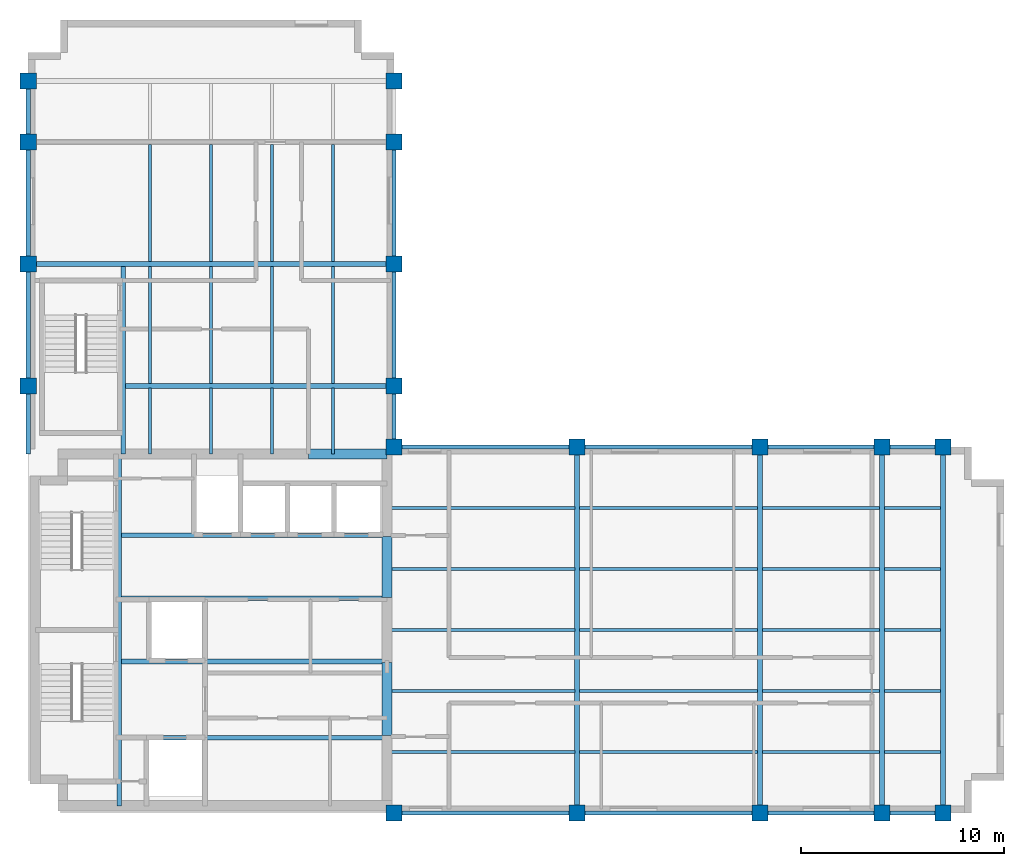
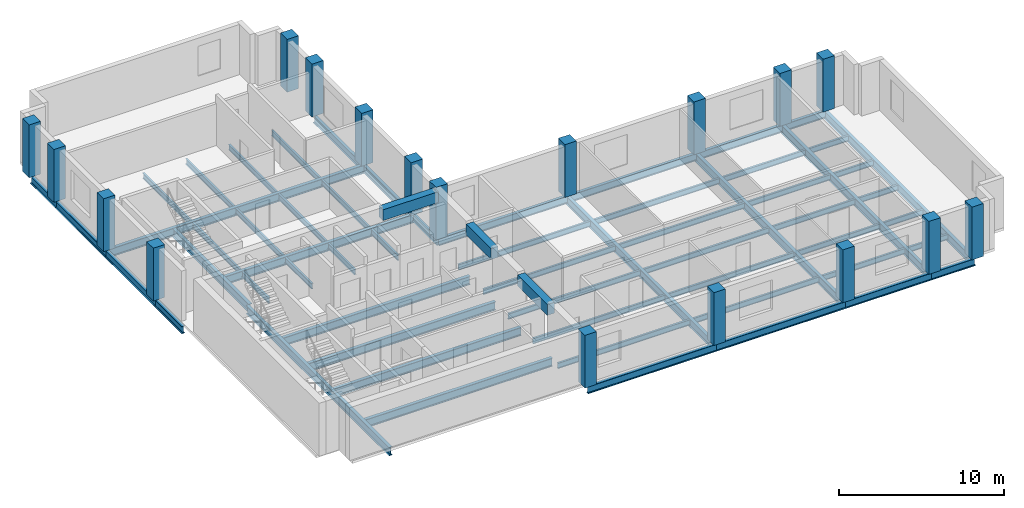
# One storey, part 1 of 6: 62 beams, 18 columns.
"""IFC4 building model written with IfcOpenShell, lengths in metres."""

from ifc_helpers import new_model, si_unit, direction, frame, origin, origin_2d, place, context, subcontext, project, spatial, rectangle, i_section, extrude, material, material_profile, profile_set, type_object, element, save


model = new_model("IFC4")

# Units and contexts
model_context = context("Model", 3, precision=1e-05, world=origin(), true_north=direction((0.0, 1.0)))
body_context = subcontext(model_context, "Body", "Model", "MODEL_VIEW")
ifc_project = project(units=[si_unit("LENGTHUNIT", "METRE"), si_unit("AREAUNIT", "SQUARE_METRE"), si_unit("VOLUMEUNIT", "CUBIC_METRE"), si_unit("PLANEANGLEUNIT", "RADIAN"), si_unit("MASSUNIT", "GRAM", prefix="KILO")], contexts=[model_context])

# Site, building, storey
site_placement = place(None, origin())
site = spatial("IfcSite", under=ifc_project, at=site_placement, CompositionType="ELEMENT")
building_placement = place(site_placement, origin())
building = spatial("IfcBuilding", under=site, at=building_placement, Name="Mawjdan Bourse Tower", CompositionType="ELEMENT")
storey_placement = place(building_placement, frame((0.0, 0.0, 239.10009765625)))
storey = spatial("IfcBuildingStorey", under=building, at=storey_placement, Name="L58", CompositionType="ELEMENT", Elevation=239.10009765625)

# Columns
ifc_material_1 = material(Name="Concrete C60/75", Category="concrete")
ifc_material_profile_1 = material_profile(ifc_material_1, rectangle(XDim=0.800048828125, YDim=0.800048828125, at=origin_2d()), Name="RC800X800")
ifc_profile_set_1 = profile_set([ifc_material_profile_1], Name="Concrete C60/75")
column_type = type_object("IfcColumnType", Name="COL-RC800X800", PredefinedType="COLUMN", material=ifc_profile_set_1)
for number, where, z_axis, x_axis, name in (
    (1, (24.0, 3.0, 0.0), (0.0, 0.0, 1.0), (1.0, 0.0, 0.0), "L58 Structural Column C-X240-Y30"),
    (2, (24.0, 21.0, 0.0), (0.0, 0.0, 1.0), (1.0, 0.0, 0.0), "L58 Structural Column C-X240-Y210"),
    (3, (33.0, 3.0, 0.0), (0.0, 0.0, 1.0), (1.0, 0.0, 0.0), "L58 Structural Column C-X330-Y30"),
    (4, (33.0, 21.0, 0.0), (0.0, 0.0, 1.0), (1.0, 0.0, 0.0), "L58 Structural Column C-X330-Y210"),
    (5, (42.0, 3.0, 0.0), (0.0, 0.0, 1.0), (1.0, 0.0, 0.0), "L58 Structural Column C-X420-Y30"),
    (6, (42.0, 21.0, 0.0), (0.0, 0.0, 1.0), (1.0, 0.0, 0.0), "L58 Structural Column C-X420-Y210"),
    (7, (48.0, 3.0, 0.0), (0.0, 0.0, 1.0), (1.0, 0.0, 0.0), "L58 Structural Column C-X480-Y30"),
    (8, (48.0, 21.0, 0.0), (0.0, 0.0, 1.0), (1.0, 0.0, 0.0), "L58 Structural Column C-X480-Y210"),
    (9, (51.0, 3.0, 0.0), (0.0, 0.0, 1.0), (1.0, 0.0, 0.0), "L58 Structural Column C-X510-Y30"),
    (10, (51.0, 21.0, 0.0), (0.0, 0.0, 1.0), (1.0, 0.0, 0.0), "L58 Structural Column C-X510-Y210"),
    (11, (6.0, 24.0, 0.0), (0.0, 0.0, 1.0), (1.0, 0.0, 0.0), "L58 Structural Column C-X60-Y240"),
    (12, (24.0, 24.0, 0.0), (0.0, 0.0, 1.0), (1.0, 0.0, 0.0), "L58 Structural Column C-X240-Y240"),
    (13, (6.0, 30.0, 0.0), (0.0, 0.0, 1.0), (1.0, 0.0, 0.0), "L58 Structural Column C-X60-Y300"),
    (14, (24.0, 30.0, 0.0), (0.0, 0.0, 1.0), (1.0, 0.0, 0.0), "L58 Structural Column C-X240-Y300"),
    (15, (6.0, 36.0, 0.0), (0.0, 0.0, 1.0), (1.0, 0.0, 0.0), "L58 Structural Column C-X60-Y360"),
    (16, (24.0, 36.0, 0.0), (0.0, 0.0, 1.0), (1.0, 0.0, 0.0), "L58 Structural Column C-X240-Y360"),
    (17, (6.0, 39.0, 0.0), (0.0, 0.0, 1.0), (1.0, 0.0, 0.0), "L58 Structural Column C-X60-Y390"),
    (18, (24.0, 39.0, 0.0), (0.0, 0.0, 1.0), (1.0, 0.0, 0.0), "L58 Structural Column C-X240-Y390"),
):
    element("IfcColumn", number, at=place(storey_placement, frame(where, z_axis=z_axis, x_axis=x_axis)), inside=storey, type_object=column_type, Name=name, PredefinedType="COLUMN", context=body_context, shape_type="SweptSolid", body=[
        extrude(rectangle(XDim=0.800048828125, YDim=0.800048828125, at=origin_2d()), origin(), (0.0, 0.0, 1.0), 3.89990234375),
    ])

# Beams
ifc_material_2 = material(Name="Structural Steel S355", Category="steel")
ifc_material_profile_2 = material_profile(ifc_material_2, i_section(OverallWidth=0.22998046875, OverallDepth=0.616943359375, WebThickness=0.01318359375, FlangeThickness=0.022216796875, FilletRadius=0.017822265625, at=origin_2d()), Name="W24X94")
ifc_profile_set_2 = profile_set([ifc_material_profile_2], Name="Structural Steel S355")
beam_type_1 = type_object("IfcBeamType", Name="GRD-W24X94", PredefinedType="BEAM", material=ifc_profile_set_2)
beam_1_placement = place(storey_placement, frame((10.47998046875, 3.35009765625, -0.508544921875), z_axis=(0.0, 1.0, 0.0), x_axis=(-1.0, 0.0, 0.0)))
element("IfcBeam", 19, at=beam_1_placement, inside=storey, type_object=beam_type_1, Name="L58 Core Stair Trimmer Girder 001", PredefinedType="BEAM", context=body_context, shape_type="SweptSolid", body=[
    extrude(i_section(OverallWidth=0.22998046875, OverallDepth=0.616943359375, WebThickness=0.01318359375, FlangeThickness=0.022216796875, FilletRadius=0.017822265625, at=origin_2d()), origin(), (0.0, 0.0, 1.0), 17.2998046875),
])
for number, where, z_axis, x_axis, name in (
    (20, (33.0, 3.0, -0.508544921875), (0.0, 1.0, 0.0), (-1.0, 0.0, 0.0), "L58 East Wing Clear-Span Girder 002"),
    (21, (42.0, 3.0, -0.508544921875), (0.0, 1.0, 0.0), (-1.0, 0.0, 0.0), "L58 East Wing Clear-Span Girder 003"),
    (22, (48.0, 3.0, -0.508544921875), (0.0, 1.0, 0.0), (-1.0, 0.0, 0.0), "L58 East Wing Clear-Span Girder 004"),
    (23, (51.0, 3.0, -0.508544921875), (0.0, 1.0, 0.0), (-1.0, 0.0, 0.0), "L58 East Wing Clear-Span Girder 005"),
):
    element("IfcBeam", number, at=place(storey_placement, frame(where, z_axis=z_axis, x_axis=x_axis)), inside=storey, type_object=beam_type_1, Name=name, PredefinedType="BEAM", context=body_context, shape_type="SweptSolid", body=[
        extrude(i_section(OverallWidth=0.22998046875, OverallDepth=0.616943359375, WebThickness=0.01318359375, FlangeThickness=0.022216796875, FilletRadius=0.017822265625, at=origin_2d()), origin(), (0.0, 0.0, 1.0), 18.0),
    ])
beam_2_placement = place(storey_placement, frame((10.679931640625, 20.64990234375, -0.508544921875), z_axis=(0.0, 1.0, 0.0), x_axis=(-1.0, 0.0, 0.0)))
element("IfcBeam", 24, at=beam_2_placement, inside=storey, type_object=beam_type_1, Name="L58 North Wing Stair Trimmer Girder 038", PredefinedType="BEAM", context=body_context, shape_type="SweptSolid", body=[
    extrude(i_section(OverallWidth=0.22998046875, OverallDepth=0.616943359375, WebThickness=0.01318359375, FlangeThickness=0.022216796875, FilletRadius=0.017822265625, at=origin_2d()), origin(), (0.0, 0.0, 1.0), 9.237060546875),
])
beam_3_placement = place(storey_placement, frame((10.79296875, 24.0, -0.508544921875), z_axis=(1.0, 0.0, 0.0), x_axis=(0.0, 1.0, 0.0)))
element("IfcBeam", 25, at=beam_3_placement, inside=storey, type_object=beam_type_1, Name="L58 North Wing Clear-Span Girder 039", PredefinedType="BEAM", context=body_context, shape_type="SweptSolid", body=[
    extrude(i_section(OverallWidth=0.22998046875, OverallDepth=0.616943359375, WebThickness=0.01318359375, FlangeThickness=0.022216796875, FilletRadius=0.017822265625, at=origin_2d()), origin(), (0.0, 0.0, 1.0), 13.20703125),
])
beam_4_placement = place(storey_placement, frame((6.0, 30.0, -0.508544921875), z_axis=(1.0, 0.0, 0.0), x_axis=(0.0, 1.0, 0.0)))
element("IfcBeam", 26, at=beam_4_placement, inside=storey, type_object=beam_type_1, Name="L58 North Wing Clear-Span Girder 040", PredefinedType="BEAM", context=body_context, shape_type="SweptSolid", body=[
    extrude(i_section(OverallWidth=0.22998046875, OverallDepth=0.616943359375, WebThickness=0.01318359375, FlangeThickness=0.022216796875, FilletRadius=0.017822265625, at=origin_2d()), origin(), (0.0, 0.0, 1.0), 18.0),
])
ifc_material_profile_3 = material_profile(ifc_material_2, i_section(OverallWidth=0.139892578125, OverallDepth=0.404052734375, WebThickness=0.007080078125, FlangeThickness=0.01123046875, FilletRadius=0.009033203125, at=origin_2d()), Name="W16X31")
ifc_profile_set_3 = profile_set([ifc_material_profile_3], Name="Structural Steel S355")
beam_type_2 = type_object("IfcBeamType", Name="JST-W16X31", PredefinedType="JOIST", material=ifc_profile_set_3)
beam_5_placement = place(storey_placement, frame((23.64990234375, 6.0, -0.402099609375), z_axis=(1.0, 0.0, 0.0), x_axis=(0.0, 1.0, 0.0)))
element("IfcBeam", 27, at=beam_5_placement, inside=storey, type_object=beam_type_2, Name="L58 East Wing Composite Joist 014", PredefinedType="JOIST", context=body_context, shape_type="SweptSolid", body=[
    extrude(i_section(OverallWidth=0.139892578125, OverallDepth=0.404052734375, WebThickness=0.007080078125, FlangeThickness=0.01123046875, FilletRadius=0.009033203125, at=origin_2d()), origin(), (0.0, 0.0, 1.0), 9.237060546875),
])
beam_6_placement = place(storey_placement, frame((33.113037109375, 6.0, -0.402099609375), z_axis=(1.0, 0.0, 0.0), x_axis=(0.0, 1.0, 0.0)))
element("IfcBeam", 28, at=beam_6_placement, inside=storey, type_object=beam_type_2, Name="L58 East Wing Composite Joist 015", PredefinedType="JOIST", context=body_context, shape_type="SweptSolid", body=[
    extrude(i_section(OverallWidth=0.139892578125, OverallDepth=0.404052734375, WebThickness=0.007080078125, FlangeThickness=0.01123046875, FilletRadius=0.009033203125, at=origin_2d()), origin(), (0.0, 0.0, 1.0), 8.77392578125),
])
beam_7_placement = place(storey_placement, frame((42.113037109375, 6.0, -0.402099609375), z_axis=(1.0, 0.0, 0.0), x_axis=(0.0, 1.0, 0.0)))
element("IfcBeam", 29, at=beam_7_placement, inside=storey, type_object=beam_type_2, Name="L58 East Wing Composite Joist 016", PredefinedType="JOIST", context=body_context, shape_type="SweptSolid", body=[
    extrude(i_section(OverallWidth=0.139892578125, OverallDepth=0.404052734375, WebThickness=0.007080078125, FlangeThickness=0.01123046875, FilletRadius=0.009033203125, at=origin_2d()), origin(), (0.0, 0.0, 1.0), 5.77392578125),
])
beam_8_placement = place(storey_placement, frame((48.113037109375, 6.0, -0.402099609375), z_axis=(1.0, 0.0, 0.0), x_axis=(0.0, 1.0, 0.0)))
element("IfcBeam", 30, at=beam_8_placement, inside=storey, type_object=beam_type_2, Name="L58 East Wing Composite Joist 017", PredefinedType="JOIST", context=body_context, shape_type="SweptSolid", body=[
    extrude(i_section(OverallWidth=0.139892578125, OverallDepth=0.404052734375, WebThickness=0.007080078125, FlangeThickness=0.01123046875, FilletRadius=0.009033203125, at=origin_2d()), origin(), (0.0, 0.0, 1.0), 2.77392578125),
])
beam_9_placement = place(storey_placement, frame((23.64990234375, 9.0, -0.402099609375), z_axis=(1.0, 0.0, 0.0), x_axis=(0.0, 1.0, 0.0)))
element("IfcBeam", 31, at=beam_9_placement, inside=storey, type_object=beam_type_2, Name="L58 East Wing Composite Joist 018", PredefinedType="JOIST", context=body_context, shape_type="SweptSolid", body=[
    extrude(i_section(OverallWidth=0.139892578125, OverallDepth=0.404052734375, WebThickness=0.007080078125, FlangeThickness=0.01123046875, FilletRadius=0.009033203125, at=origin_2d()), origin(), (0.0, 0.0, 1.0), 9.237060546875),
])
beam_10_placement = place(storey_placement, frame((33.113037109375, 9.0, -0.402099609375), z_axis=(1.0, 0.0, 0.0), x_axis=(0.0, 1.0, 0.0)))
element("IfcBeam", 32, at=beam_10_placement, inside=storey, type_object=beam_type_2, Name="L58 East Wing Composite Joist 019", PredefinedType="JOIST", context=body_context, shape_type="SweptSolid", body=[
    extrude(i_section(OverallWidth=0.139892578125, OverallDepth=0.404052734375, WebThickness=0.007080078125, FlangeThickness=0.01123046875, FilletRadius=0.009033203125, at=origin_2d()), origin(), (0.0, 0.0, 1.0), 8.77392578125),
])
beam_11_placement = place(storey_placement, frame((42.113037109375, 9.0, -0.402099609375), z_axis=(1.0, 0.0, 0.0), x_axis=(0.0, 1.0, 0.0)))
element("IfcBeam", 33, at=beam_11_placement, inside=storey, type_object=beam_type_2, Name="L58 East Wing Composite Joist 020", PredefinedType="JOIST", context=body_context, shape_type="SweptSolid", body=[
    extrude(i_section(OverallWidth=0.139892578125, OverallDepth=0.404052734375, WebThickness=0.007080078125, FlangeThickness=0.01123046875, FilletRadius=0.009033203125, at=origin_2d()), origin(), (0.0, 0.0, 1.0), 5.77392578125),
])
beam_12_placement = place(storey_placement, frame((48.113037109375, 9.0, -0.402099609375), z_axis=(1.0, 0.0, 0.0), x_axis=(0.0, 1.0, 0.0)))
element("IfcBeam", 34, at=beam_12_placement, inside=storey, type_object=beam_type_2, Name="L58 East Wing Composite Joist 021", PredefinedType="JOIST", context=body_context, shape_type="SweptSolid", body=[
    extrude(i_section(OverallWidth=0.139892578125, OverallDepth=0.404052734375, WebThickness=0.007080078125, FlangeThickness=0.01123046875, FilletRadius=0.009033203125, at=origin_2d()), origin(), (0.0, 0.0, 1.0), 2.77392578125),
])
beam_13_placement = place(storey_placement, frame((23.64990234375, 12.0, -0.402099609375), z_axis=(1.0, 0.0, 0.0), x_axis=(0.0, 1.0, 0.0)))
element("IfcBeam", 35, at=beam_13_placement, inside=storey, type_object=beam_type_2, Name="L58 East Wing Composite Joist 022", PredefinedType="JOIST", context=body_context, shape_type="SweptSolid", body=[
    extrude(i_section(OverallWidth=0.139892578125, OverallDepth=0.404052734375, WebThickness=0.007080078125, FlangeThickness=0.01123046875, FilletRadius=0.009033203125, at=origin_2d()), origin(), (0.0, 0.0, 1.0), 9.237060546875),
])
beam_14_placement = place(storey_placement, frame((33.113037109375, 12.0, -0.402099609375), z_axis=(1.0, 0.0, 0.0), x_axis=(0.0, 1.0, 0.0)))
element("IfcBeam", 36, at=beam_14_placement, inside=storey, type_object=beam_type_2, Name="L58 East Wing Composite Joist 023", PredefinedType="JOIST", context=body_context, shape_type="SweptSolid", body=[
    extrude(i_section(OverallWidth=0.139892578125, OverallDepth=0.404052734375, WebThickness=0.007080078125, FlangeThickness=0.01123046875, FilletRadius=0.009033203125, at=origin_2d()), origin(), (0.0, 0.0, 1.0), 8.77392578125),
])
beam_15_placement = place(storey_placement, frame((42.113037109375, 12.0, -0.402099609375), z_axis=(1.0, 0.0, 0.0), x_axis=(0.0, 1.0, 0.0)))
element("IfcBeam", 37, at=beam_15_placement, inside=storey, type_object=beam_type_2, Name="L58 East Wing Composite Joist 024", PredefinedType="JOIST", context=body_context, shape_type="SweptSolid", body=[
    extrude(i_section(OverallWidth=0.139892578125, OverallDepth=0.404052734375, WebThickness=0.007080078125, FlangeThickness=0.01123046875, FilletRadius=0.009033203125, at=origin_2d()), origin(), (0.0, 0.0, 1.0), 5.77392578125),
])
beam_16_placement = place(storey_placement, frame((48.113037109375, 12.0, -0.402099609375), z_axis=(1.0, 0.0, 0.0), x_axis=(0.0, 1.0, 0.0)))
element("IfcBeam", 38, at=beam_16_placement, inside=storey, type_object=beam_type_2, Name="L58 East Wing Composite Joist 025", PredefinedType="JOIST", context=body_context, shape_type="SweptSolid", body=[
    extrude(i_section(OverallWidth=0.139892578125, OverallDepth=0.404052734375, WebThickness=0.007080078125, FlangeThickness=0.01123046875, FilletRadius=0.009033203125, at=origin_2d()), origin(), (0.0, 0.0, 1.0), 2.77392578125),
])
beam_17_placement = place(storey_placement, frame((23.64990234375, 15.0, -0.402099609375), z_axis=(1.0, 0.0, 0.0), x_axis=(0.0, 1.0, 0.0)))
element("IfcBeam", 39, at=beam_17_placement, inside=storey, type_object=beam_type_2, Name="L58 East Wing Composite Joist 026", PredefinedType="JOIST", context=body_context, shape_type="SweptSolid", body=[
    extrude(i_section(OverallWidth=0.139892578125, OverallDepth=0.404052734375, WebThickness=0.007080078125, FlangeThickness=0.01123046875, FilletRadius=0.009033203125, at=origin_2d()), origin(), (0.0, 0.0, 1.0), 9.237060546875),
])
beam_18_placement = place(storey_placement, frame((33.113037109375, 15.0, -0.402099609375), z_axis=(1.0, 0.0, 0.0), x_axis=(0.0, 1.0, 0.0)))
element("IfcBeam", 40, at=beam_18_placement, inside=storey, type_object=beam_type_2, Name="L58 East Wing Composite Joist 027", PredefinedType="JOIST", context=body_context, shape_type="SweptSolid", body=[
    extrude(i_section(OverallWidth=0.139892578125, OverallDepth=0.404052734375, WebThickness=0.007080078125, FlangeThickness=0.01123046875, FilletRadius=0.009033203125, at=origin_2d()), origin(), (0.0, 0.0, 1.0), 8.77392578125),
])
beam_19_placement = place(storey_placement, frame((42.113037109375, 15.0, -0.402099609375), z_axis=(1.0, 0.0, 0.0), x_axis=(0.0, 1.0, 0.0)))
element("IfcBeam", 41, at=beam_19_placement, inside=storey, type_object=beam_type_2, Name="L58 East Wing Composite Joist 028", PredefinedType="JOIST", context=body_context, shape_type="SweptSolid", body=[
    extrude(i_section(OverallWidth=0.139892578125, OverallDepth=0.404052734375, WebThickness=0.007080078125, FlangeThickness=0.01123046875, FilletRadius=0.009033203125, at=origin_2d()), origin(), (0.0, 0.0, 1.0), 5.77392578125),
])
beam_20_placement = place(storey_placement, frame((48.113037109375, 15.0, -0.402099609375), z_axis=(1.0, 0.0, 0.0), x_axis=(0.0, 1.0, 0.0)))
element("IfcBeam", 42, at=beam_20_placement, inside=storey, type_object=beam_type_2, Name="L58 East Wing Composite Joist 029", PredefinedType="JOIST", context=body_context, shape_type="SweptSolid", body=[
    extrude(i_section(OverallWidth=0.139892578125, OverallDepth=0.404052734375, WebThickness=0.007080078125, FlangeThickness=0.01123046875, FilletRadius=0.009033203125, at=origin_2d()), origin(), (0.0, 0.0, 1.0), 2.77392578125),
])
beam_21_placement = place(storey_placement, frame((23.64990234375, 18.0, -0.402099609375), z_axis=(1.0, 0.0, 0.0), x_axis=(0.0, 1.0, 0.0)))
element("IfcBeam", 43, at=beam_21_placement, inside=storey, type_object=beam_type_2, Name="L58 East Wing Composite Joist 030", PredefinedType="JOIST", context=body_context, shape_type="SweptSolid", body=[
    extrude(i_section(OverallWidth=0.139892578125, OverallDepth=0.404052734375, WebThickness=0.007080078125, FlangeThickness=0.01123046875, FilletRadius=0.009033203125, at=origin_2d()), origin(), (0.0, 0.0, 1.0), 9.237060546875),
])
beam_22_placement = place(storey_placement, frame((33.113037109375, 18.0, -0.402099609375), z_axis=(1.0, 0.0, 0.0), x_axis=(0.0, 1.0, 0.0)))
element("IfcBeam", 44, at=beam_22_placement, inside=storey, type_object=beam_type_2, Name="L58 East Wing Composite Joist 031", PredefinedType="JOIST", context=body_context, shape_type="SweptSolid", body=[
    extrude(i_section(OverallWidth=0.139892578125, OverallDepth=0.404052734375, WebThickness=0.007080078125, FlangeThickness=0.01123046875, FilletRadius=0.009033203125, at=origin_2d()), origin(), (0.0, 0.0, 1.0), 8.77392578125),
])
beam_23_placement = place(storey_placement, frame((42.113037109375, 18.0, -0.402099609375), z_axis=(1.0, 0.0, 0.0), x_axis=(0.0, 1.0, 0.0)))
element("IfcBeam", 45, at=beam_23_placement, inside=storey, type_object=beam_type_2, Name="L58 East Wing Composite Joist 032", PredefinedType="JOIST", context=body_context, shape_type="SweptSolid", body=[
    extrude(i_section(OverallWidth=0.139892578125, OverallDepth=0.404052734375, WebThickness=0.007080078125, FlangeThickness=0.01123046875, FilletRadius=0.009033203125, at=origin_2d()), origin(), (0.0, 0.0, 1.0), 5.77392578125),
])
beam_24_placement = place(storey_placement, frame((48.113037109375, 18.0, -0.402099609375), z_axis=(1.0, 0.0, 0.0), x_axis=(0.0, 1.0, 0.0)))
element("IfcBeam", 46, at=beam_24_placement, inside=storey, type_object=beam_type_2, Name="L58 East Wing Composite Joist 033", PredefinedType="JOIST", context=body_context, shape_type="SweptSolid", body=[
    extrude(i_section(OverallWidth=0.139892578125, OverallDepth=0.404052734375, WebThickness=0.007080078125, FlangeThickness=0.01123046875, FilletRadius=0.009033203125, at=origin_2d()), origin(), (0.0, 0.0, 1.0), 2.77392578125),
])
beam_25_placement = place(storey_placement, frame((12.0, 20.64990234375, -0.402099609375), z_axis=(0.0, 1.0, 0.0), x_axis=(-1.0, 0.0, 0.0)))
element("IfcBeam", 47, at=beam_25_placement, inside=storey, type_object=beam_type_2, Name="L58 North Wing Composite Joist 051", PredefinedType="JOIST", context=body_context, shape_type="SweptSolid", body=[
    extrude(i_section(OverallWidth=0.139892578125, OverallDepth=0.404052734375, WebThickness=0.007080078125, FlangeThickness=0.01123046875, FilletRadius=0.009033203125, at=origin_2d()), origin(), (0.0, 0.0, 1.0), 3.237060546875),
])
for number, where, z_axis, x_axis, name in (
    (48, (12.0, 24.113037109375, -0.402099609375), (0.0, 1.0, 0.0), (-1.0, 0.0, 0.0), "L58 North Wing Composite Joist 052"),
    (49, (12.0, 30.113037109375, -0.402099609375), (0.0, 1.0, 0.0), (-1.0, 0.0, 0.0), "L58 North Wing Composite Joist 053"),
):
    element("IfcBeam", number, at=place(storey_placement, frame(where, z_axis=z_axis, x_axis=x_axis)), inside=storey, type_object=beam_type_2, Name=name, PredefinedType="JOIST", context=body_context, shape_type="SweptSolid", body=[
        extrude(i_section(OverallWidth=0.139892578125, OverallDepth=0.404052734375, WebThickness=0.007080078125, FlangeThickness=0.01123046875, FilletRadius=0.009033203125, at=origin_2d()), origin(), (0.0, 0.0, 1.0), 5.77392578125),
    ])
beam_26_placement = place(storey_placement, frame((15.0, 20.64990234375, -0.402099609375), z_axis=(0.0, 1.0, 0.0), x_axis=(-1.0, 0.0, 0.0)))
element("IfcBeam", 50, at=beam_26_placement, inside=storey, type_object=beam_type_2, Name="L58 North Wing Composite Joist 055", PredefinedType="JOIST", context=body_context, shape_type="SweptSolid", body=[
    extrude(i_section(OverallWidth=0.139892578125, OverallDepth=0.404052734375, WebThickness=0.007080078125, FlangeThickness=0.01123046875, FilletRadius=0.009033203125, at=origin_2d()), origin(), (0.0, 0.0, 1.0), 3.237060546875),
])
for number, where, z_axis, x_axis, name in (
    (51, (15.0, 24.113037109375, -0.402099609375), (0.0, 1.0, 0.0), (-1.0, 0.0, 0.0), "L58 North Wing Composite Joist 056"),
    (52, (15.0, 30.113037109375, -0.402099609375), (0.0, 1.0, 0.0), (-1.0, 0.0, 0.0), "L58 North Wing Composite Joist 057"),
):
    element("IfcBeam", number, at=place(storey_placement, frame(where, z_axis=z_axis, x_axis=x_axis)), inside=storey, type_object=beam_type_2, Name=name, PredefinedType="JOIST", context=body_context, shape_type="SweptSolid", body=[
        extrude(i_section(OverallWidth=0.139892578125, OverallDepth=0.404052734375, WebThickness=0.007080078125, FlangeThickness=0.01123046875, FilletRadius=0.009033203125, at=origin_2d()), origin(), (0.0, 0.0, 1.0), 5.77392578125),
    ])
beam_27_placement = place(storey_placement, frame((18.0, 20.64990234375, -0.402099609375), z_axis=(0.0, 1.0, 0.0), x_axis=(-1.0, 0.0, 0.0)))
element("IfcBeam", 53, at=beam_27_placement, inside=storey, type_object=beam_type_2, Name="L58 North Wing Composite Joist 059", PredefinedType="JOIST", context=body_context, shape_type="SweptSolid", body=[
    extrude(i_section(OverallWidth=0.139892578125, OverallDepth=0.404052734375, WebThickness=0.007080078125, FlangeThickness=0.01123046875, FilletRadius=0.009033203125, at=origin_2d()), origin(), (0.0, 0.0, 1.0), 3.237060546875),
])
for number, where, z_axis, x_axis, name in (
    (54, (18.0, 24.113037109375, -0.402099609375), (0.0, 1.0, 0.0), (-1.0, 0.0, 0.0), "L58 North Wing Composite Joist 060"),
    (55, (18.0, 30.113037109375, -0.402099609375), (0.0, 1.0, 0.0), (-1.0, 0.0, 0.0), "L58 North Wing Composite Joist 061"),
):
    element("IfcBeam", number, at=place(storey_placement, frame(where, z_axis=z_axis, x_axis=x_axis)), inside=storey, type_object=beam_type_2, Name=name, PredefinedType="JOIST", context=body_context, shape_type="SweptSolid", body=[
        extrude(i_section(OverallWidth=0.139892578125, OverallDepth=0.404052734375, WebThickness=0.007080078125, FlangeThickness=0.01123046875, FilletRadius=0.009033203125, at=origin_2d()), origin(), (0.0, 0.0, 1.0), 5.77392578125),
    ])
beam_28_placement = place(storey_placement, frame((21.0, 20.64990234375, -0.402099609375), z_axis=(0.0, 1.0, 0.0), x_axis=(-1.0, 0.0, 0.0)))
element("IfcBeam", 56, at=beam_28_placement, inside=storey, type_object=beam_type_2, Name="L58 North Wing Composite Joist 063", PredefinedType="JOIST", context=body_context, shape_type="SweptSolid", body=[
    extrude(i_section(OverallWidth=0.139892578125, OverallDepth=0.404052734375, WebThickness=0.007080078125, FlangeThickness=0.01123046875, FilletRadius=0.009033203125, at=origin_2d()), origin(), (0.0, 0.0, 1.0), 3.237060546875),
])
for number, where, z_axis, x_axis, name in (
    (57, (21.0, 24.113037109375, -0.402099609375), (0.0, 1.0, 0.0), (-1.0, 0.0, 0.0), "L58 North Wing Composite Joist 064"),
    (58, (21.0, 30.113037109375, -0.402099609375), (0.0, 1.0, 0.0), (-1.0, 0.0, 0.0), "L58 North Wing Composite Joist 065"),
):
    element("IfcBeam", number, at=place(storey_placement, frame(where, z_axis=z_axis, x_axis=x_axis)), inside=storey, type_object=beam_type_2, Name=name, PredefinedType="JOIST", context=body_context, shape_type="SweptSolid", body=[
        extrude(i_section(OverallWidth=0.139892578125, OverallDepth=0.404052734375, WebThickness=0.007080078125, FlangeThickness=0.01123046875, FilletRadius=0.009033203125, at=origin_2d()), origin(), (0.0, 0.0, 1.0), 5.77392578125),
    ])
ifc_material_profile_4 = material_profile(ifc_material_2, i_section(OverallWidth=0.22998046875, OverallDepth=0.616943359375, WebThickness=0.01318359375, FlangeThickness=0.022216796875, FilletRadius=0.017822265625, at=origin_2d()), Name="W24X94")
ifc_profile_set_4 = profile_set([ifc_material_profile_4], Name="Structural Steel S355")
beam_type_3 = type_object("IfcBeamType", Name="JST-W24X94", PredefinedType="JOIST", material=ifc_profile_set_4)
for number, where, z_axis, x_axis, name in (
    (59, (10.593017578125, 6.699951171875, -0.508544921875), (1.0, 0.0, 0.0), (0.0, 1.0, 0.0), "L58 Core Floor Joist 034"),
    (60, (10.593017578125, 10.449951171875, -0.508544921875), (1.0, 0.0, 0.0), (0.0, 1.0, 0.0), "L58 Core Floor Joist 035"),
    (61, (10.593017578125, 13.550048828125, -0.508544921875), (1.0, 0.0, 0.0), (0.0, 1.0, 0.0), "L58 Core Floor Joist 036"),
    (62, (10.593017578125, 16.64990234375, -0.508544921875), (1.0, 0.0, 0.0), (0.0, 1.0, 0.0), "L58 Core Floor Joist 037"),
):
    element("IfcBeam", number, at=place(storey_placement, frame(where, z_axis=z_axis, x_axis=x_axis)), inside=storey, type_object=beam_type_3, Name=name, PredefinedType="JOIST", context=body_context, shape_type="SweptSolid", body=[
        extrude(i_section(OverallWidth=0.22998046875, OverallDepth=0.616943359375, WebThickness=0.01318359375, FlangeThickness=0.022216796875, FilletRadius=0.017822265625, at=origin_2d()), origin(), (0.0, 0.0, 1.0), 13.056884765625),
    ])
ifc_material_3 = material(Name="Concrete C70/85", Category="concrete")
ifc_material_profile_5 = material_profile(ifc_material_3, rectangle(XDim=0.5, YDim=0.800048828125, at=origin_2d()), Name="RCB500X800")
ifc_profile_set_5 = profile_set([ifc_material_profile_5], Name="Concrete C70/85")
beam_type_4 = type_object("IfcBeamType", Name="LNT-RCB500X800", PredefinedType="LINTEL", material=ifc_profile_set_5)
beam_29_placement = place(storey_placement, frame((23.64990234375, 6.800048828125, 3.2998046875), z_axis=(0.0, 1.0, 0.0), x_axis=(-1.0, 0.0, 0.0)))
element("IfcBeam", 63, at=beam_29_placement, inside=storey, type_object=beam_type_4, Name="L58 Coupled Core Lintel CB-E1", PredefinedType="LINTEL", context=body_context, shape_type="SweptSolid", body=[
    extrude(rectangle(XDim=0.5, YDim=0.800048828125, at=origin_2d()), origin(), (0.0, 0.0, 1.0), 3.599853515625),
])
beam_30_placement = place(storey_placement, frame((23.64990234375, 13.60009765625, 3.2998046875), z_axis=(0.0, 1.0, 0.0), x_axis=(-1.0, 0.0, 0.0)))
element("IfcBeam", 64, at=beam_30_placement, inside=storey, type_object=beam_type_4, Name="L58 Coupled Core Lintel CB-E2", PredefinedType="LINTEL", context=body_context, shape_type="SweptSolid", body=[
    extrude(rectangle(XDim=0.5, YDim=0.800048828125, at=origin_2d()), origin(), (0.0, 0.0, 1.0), 3.0),
])
beam_31_placement = place(storey_placement, frame((19.800048828125, 20.64990234375, 3.2998046875), z_axis=(1.0, 0.0, 0.0), x_axis=(0.0, 1.0, 0.0)))
element("IfcBeam", 65, at=beam_31_placement, inside=storey, type_object=beam_type_4, Name="L58 Coupled Core Lintel CB-N1", PredefinedType="LINTEL", context=body_context, shape_type="SweptSolid", body=[
    extrude(rectangle(XDim=0.5, YDim=0.800048828125, at=origin_2d()), origin(), (0.0, 0.0, 1.0), 3.849853515625),
])
ifc_material_profile_6 = material_profile(ifc_material_2, i_section(OverallWidth=0.2099609375, OverallDepth=0.537109375, WebThickness=0.010986328125, FlangeThickness=0.017333984375, FilletRadius=0.013916015625, at=origin_2d()), Name="W21X68")
ifc_profile_set_6 = profile_set([ifc_material_profile_6], Name="Structural Steel S355")
beam_type_5 = type_object("IfcBeamType", Name="SPN-W21X68", PredefinedType="SPANDREL", material=ifc_profile_set_6)
for number, where, z_axis, x_axis, name in (
    (66, (24.0, 3.0, -0.468505859375), (1.0, 0.0, 0.0), (0.0, 1.0, 0.0), "L58 Perimeter Masonry-Shelf Spandrel 006"),
    (67, (33.0, 3.0, -0.468505859375), (1.0, 0.0, 0.0), (0.0, 1.0, 0.0), "L58 Perimeter Masonry-Shelf Spandrel 007"),
):
    element("IfcBeam", number, at=place(storey_placement, frame(where, z_axis=z_axis, x_axis=x_axis)), inside=storey, type_object=beam_type_5, Name=name, PredefinedType="SPANDREL", context=body_context, shape_type="SweptSolid", body=[
        extrude(i_section(OverallWidth=0.2099609375, OverallDepth=0.537109375, WebThickness=0.010986328125, FlangeThickness=0.017333984375, FilletRadius=0.013916015625, at=origin_2d()), origin(), (0.0, 0.0, 1.0), 9.0),
    ])
beam_32_placement = place(storey_placement, frame((42.0, 3.0, -0.468505859375), z_axis=(1.0, 0.0, 0.0), x_axis=(0.0, 1.0, 0.0)))
element("IfcBeam", 68, at=beam_32_placement, inside=storey, type_object=beam_type_5, Name="L58 Perimeter Masonry-Shelf Spandrel 008", PredefinedType="SPANDREL", context=body_context, shape_type="SweptSolid", body=[
    extrude(i_section(OverallWidth=0.2099609375, OverallDepth=0.537109375, WebThickness=0.010986328125, FlangeThickness=0.017333984375, FilletRadius=0.013916015625, at=origin_2d()), origin(), (0.0, 0.0, 1.0), 6.0),
])
beam_33_placement = place(storey_placement, frame((48.0, 3.0, -0.468505859375), z_axis=(1.0, 0.0, 0.0), x_axis=(0.0, 1.0, 0.0)))
element("IfcBeam", 69, at=beam_33_placement, inside=storey, type_object=beam_type_5, Name="L58 Perimeter Masonry-Shelf Spandrel 009", PredefinedType="SPANDREL", context=body_context, shape_type="SweptSolid", body=[
    extrude(i_section(OverallWidth=0.2099609375, OverallDepth=0.537109375, WebThickness=0.010986328125, FlangeThickness=0.017333984375, FilletRadius=0.013916015625, at=origin_2d()), origin(), (0.0, 0.0, 1.0), 3.0),
])
for number, where, z_axis, x_axis, name in (
    (70, (24.0, 21.0, -0.468505859375), (1.0, 0.0, 0.0), (0.0, 1.0, 0.0), "L58 Perimeter Masonry-Shelf Spandrel 010"),
    (71, (33.0, 21.0, -0.468505859375), (1.0, 0.0, 0.0), (0.0, 1.0, 0.0), "L58 Perimeter Masonry-Shelf Spandrel 011"),
):
    element("IfcBeam", number, at=place(storey_placement, frame(where, z_axis=z_axis, x_axis=x_axis)), inside=storey, type_object=beam_type_5, Name=name, PredefinedType="SPANDREL", context=body_context, shape_type="SweptSolid", body=[
        extrude(i_section(OverallWidth=0.2099609375, OverallDepth=0.537109375, WebThickness=0.010986328125, FlangeThickness=0.017333984375, FilletRadius=0.013916015625, at=origin_2d()), origin(), (0.0, 0.0, 1.0), 9.0),
    ])
beam_34_placement = place(storey_placement, frame((42.0, 21.0, -0.468505859375), z_axis=(1.0, 0.0, 0.0), x_axis=(0.0, 1.0, 0.0)))
element("IfcBeam", 72, at=beam_34_placement, inside=storey, type_object=beam_type_5, Name="L58 Perimeter Masonry-Shelf Spandrel 012", PredefinedType="SPANDREL", context=body_context, shape_type="SweptSolid", body=[
    extrude(i_section(OverallWidth=0.2099609375, OverallDepth=0.537109375, WebThickness=0.010986328125, FlangeThickness=0.017333984375, FilletRadius=0.013916015625, at=origin_2d()), origin(), (0.0, 0.0, 1.0), 6.0),
])
beam_35_placement = place(storey_placement, frame((48.0, 21.0, -0.468505859375), z_axis=(1.0, 0.0, 0.0), x_axis=(0.0, 1.0, 0.0)))
element("IfcBeam", 73, at=beam_35_placement, inside=storey, type_object=beam_type_5, Name="L58 Perimeter Masonry-Shelf Spandrel 013", PredefinedType="SPANDREL", context=body_context, shape_type="SweptSolid", body=[
    extrude(i_section(OverallWidth=0.2099609375, OverallDepth=0.537109375, WebThickness=0.010986328125, FlangeThickness=0.017333984375, FilletRadius=0.013916015625, at=origin_2d()), origin(), (0.0, 0.0, 1.0), 3.0),
])
beam_36_placement = place(storey_placement, frame((6.0, 20.64990234375, -0.468505859375), z_axis=(0.0, 1.0, 0.0), x_axis=(-1.0, 0.0, 0.0)))
element("IfcBeam", 74, at=beam_36_placement, inside=storey, type_object=beam_type_5, Name="L58 North Wing Spandrel 043", PredefinedType="SPANDREL", context=body_context, shape_type="SweptSolid", body=[
    extrude(i_section(OverallWidth=0.2099609375, OverallDepth=0.537109375, WebThickness=0.010986328125, FlangeThickness=0.017333984375, FilletRadius=0.013916015625, at=origin_2d()), origin(), (0.0, 0.0, 1.0), 3.35009765625),
])
for number, where, z_axis, x_axis, name in (
    (75, (6.0, 24.0, -0.468505859375), (0.0, 1.0, 0.0), (-1.0, 0.0, 0.0), "L58 North Wing Spandrel 044"),
    (76, (6.0, 30.0, -0.468505859375), (0.0, 1.0, 0.0), (-1.0, 0.0, 0.0), "L58 North Wing Spandrel 045"),
):
    element("IfcBeam", number, at=place(storey_placement, frame(where, z_axis=z_axis, x_axis=x_axis)), inside=storey, type_object=beam_type_5, Name=name, PredefinedType="SPANDREL", context=body_context, shape_type="SweptSolid", body=[
        extrude(i_section(OverallWidth=0.2099609375, OverallDepth=0.537109375, WebThickness=0.010986328125, FlangeThickness=0.017333984375, FilletRadius=0.013916015625, at=origin_2d()), origin(), (0.0, 0.0, 1.0), 6.0),
    ])
for number, where, z_axis, x_axis, name in (
    (77, (6.0, 36.0, -0.468505859375), (0.0, 1.0, 0.0), (-1.0, 0.0, 0.0), "L58 North Wing Spandrel 046"),
    (78, (24.0, 21.0, -0.468505859375), (0.0, 1.0, 0.0), (-1.0, 0.0, 0.0), "L58 North Wing Spandrel 047"),
):
    element("IfcBeam", number, at=place(storey_placement, frame(where, z_axis=z_axis, x_axis=x_axis)), inside=storey, type_object=beam_type_5, Name=name, PredefinedType="SPANDREL", context=body_context, shape_type="SweptSolid", body=[
        extrude(i_section(OverallWidth=0.2099609375, OverallDepth=0.537109375, WebThickness=0.010986328125, FlangeThickness=0.017333984375, FilletRadius=0.013916015625, at=origin_2d()), origin(), (0.0, 0.0, 1.0), 3.0),
    ])
for number, where, z_axis, x_axis, name in (
    (79, (24.0, 24.0, -0.468505859375), (0.0, 1.0, 0.0), (-1.0, 0.0, 0.0), "L58 North Wing Spandrel 048"),
    (80, (24.0, 30.0, -0.468505859375), (0.0, 1.0, 0.0), (-1.0, 0.0, 0.0), "L58 North Wing Spandrel 049"),
):
    element("IfcBeam", number, at=place(storey_placement, frame(where, z_axis=z_axis, x_axis=x_axis)), inside=storey, type_object=beam_type_5, Name=name, PredefinedType="SPANDREL", context=body_context, shape_type="SweptSolid", body=[
        extrude(i_section(OverallWidth=0.2099609375, OverallDepth=0.537109375, WebThickness=0.010986328125, FlangeThickness=0.017333984375, FilletRadius=0.013916015625, at=origin_2d()), origin(), (0.0, 0.0, 1.0), 6.0),
    ])

save(model, "model.ifc")
